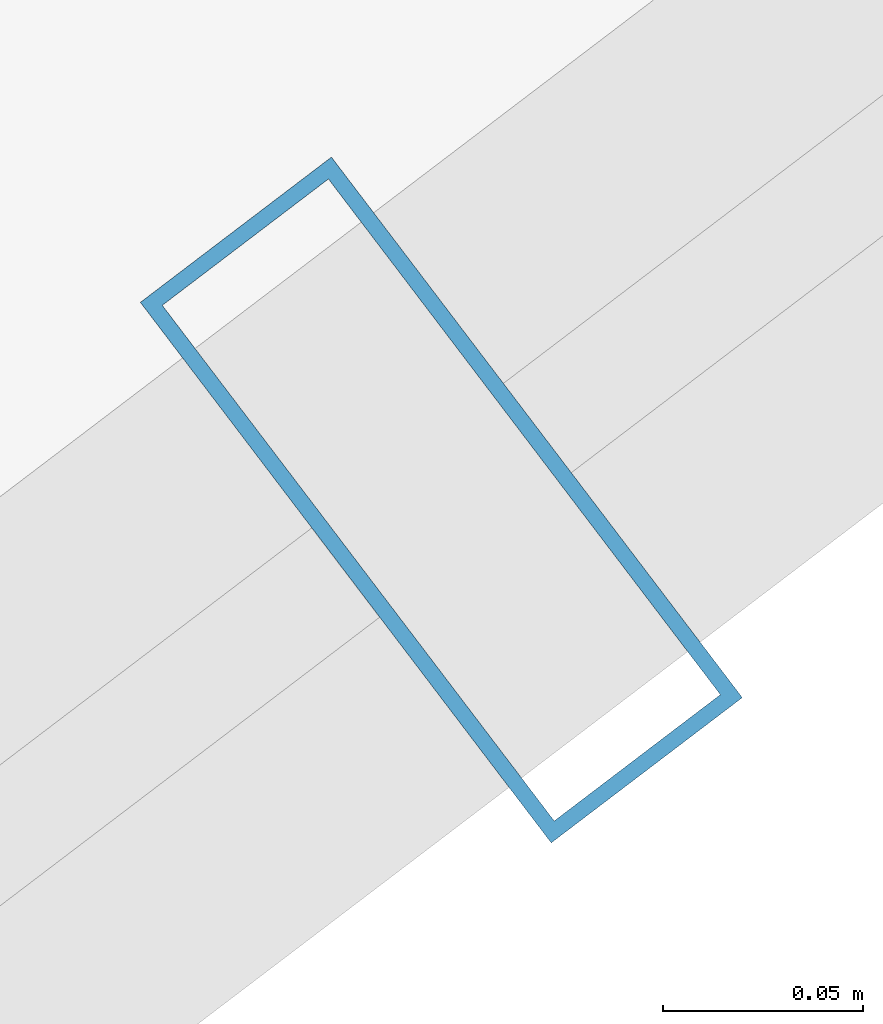
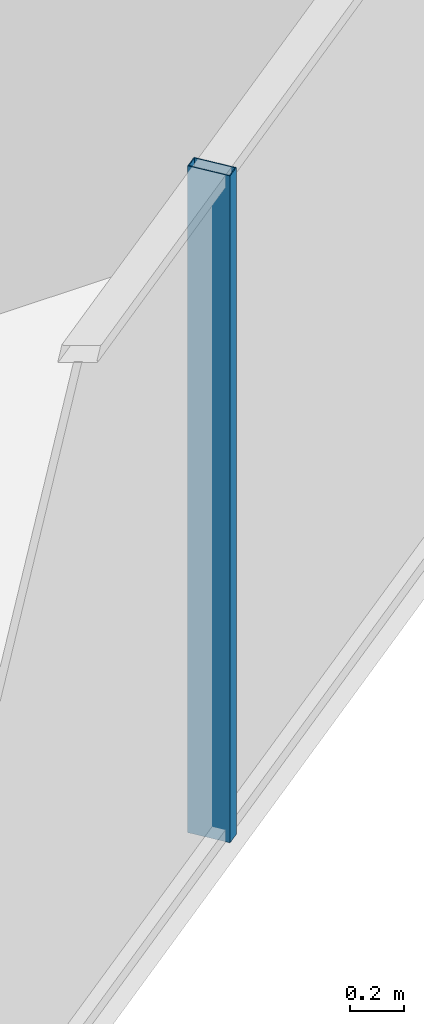
# One storey, part 7 of 33: 1 member, 1 element without a shape of its own.
"""IFC4 building model written with IfcOpenShell, lengths in metres."""

from ifc_helpers import new_model, si_unit, direction, frame, origin, origin_2d, place, context, subcontext, project, spatial, hollow_rectangle, extrude, source, transform, mapped, material, layer, layer_set, material_profile, profile_set, type_object, element, aggregate, save


model = new_model("IFC4")

# Units and contexts
model_context = context("Model", 3, precision=1e-05, world=origin(), true_north=direction((0.0, 1.0)))
body_context = subcontext(model_context, "Body", "Model", "MODEL_VIEW")
ifc_project = project(units=[si_unit("LENGTHUNIT", "METRE"), si_unit("AREAUNIT", "SQUARE_METRE"), si_unit("VOLUMEUNIT", "CUBIC_METRE"), si_unit("PLANEANGLEUNIT", "RADIAN"), si_unit("MASSUNIT", "GRAM", prefix="KILO")], contexts=[model_context])

# Site, building, storey
site_placement = place(None, origin())
site = spatial("IfcSite", under=ifc_project, at=site_placement, CompositionType="ELEMENT")
building_placement = place(site_placement, origin())
building = spatial("IfcBuilding", under=site, at=building_placement, Name="Veraguas Prism Commons", CompositionType="ELEMENT")
storey_placement = place(building_placement, frame((0.0, 0.0, 152.25)))
storey = spatial("IfcBuildingStorey", under=building, at=storey_placement, Name="L43", CompositionType="ELEMENT", Elevation=152.25)

# Curtain wall, member
ifc_material = material(Name="Anodised aluminium EN AW-6063 T6", Category="aluminium")
ifc_layer = layer(ifc_material, 0.169921875, Name="Unitised Flush Curtain Wall Zone 2", Category="aluminium")
ifc_layer_set = layer_set([ifc_layer], Name="Anodised aluminium EN AW-6063 T6")
curtain_wall_type = type_object("IfcCurtainWallType", Name="Unitised Flush Curtain Wall Zone 2", PredefinedType="NOTDEFINED", material=ifc_layer_set)
curtain_wall_placement = place(storey_placement, origin())
curtain_wall = element("IfcCurtainWall", 1, at=curtain_wall_placement, inside=storey, type_object=curtain_wall_type, Name="Tower Facade Curtain Wall L43-F5", PredefinedType="NOTDEFINED")
ifc_material_profile = material_profile(ifc_material, hollow_rectangle(XDim=0.06005859375, YDim=0.169921875, WallThickness=0.00390625, at=origin_2d()), Name="AL60X170X4")
ifc_profile_set = profile_set([ifc_material_profile], Name="Anodised aluminium EN AW-6063 T6")
member_type = type_object("IfcMemberType", Name="Curtain Wall Mullion Lower AL 60x170x4", PredefinedType="MULLION", material=ifc_profile_set)
shared_shape = source(origin(), body_context, "Body", "SweptSolid", [
    extrude(hollow_rectangle(XDim=0.06005859375, YDim=0.169921875, WallThickness=0.00390625, at=origin_2d()), origin(), (0.0, 0.0, 1.0), 3.0),
])
member_placement = place(storey_placement, frame((35.6083984375, 8.728759765625, 0.0), z_axis=(0.0, 0.0, 1.0), x_axis=(0.796104465545, 0.605159218668, 0.0)))
member = element("IfcMember", 2, at=member_placement, type_object=member_type, Name="CW-Z2 Mullion 3", PredefinedType="MULLION", context=body_context, shape_type="MappedRepresentation", body=[
    mapped(shared_shape, transform((0.0, 0.0, 0.0), scale=1.0)),
])
aggregate(curtain_wall, [member])

save(model, "model.ifc")
